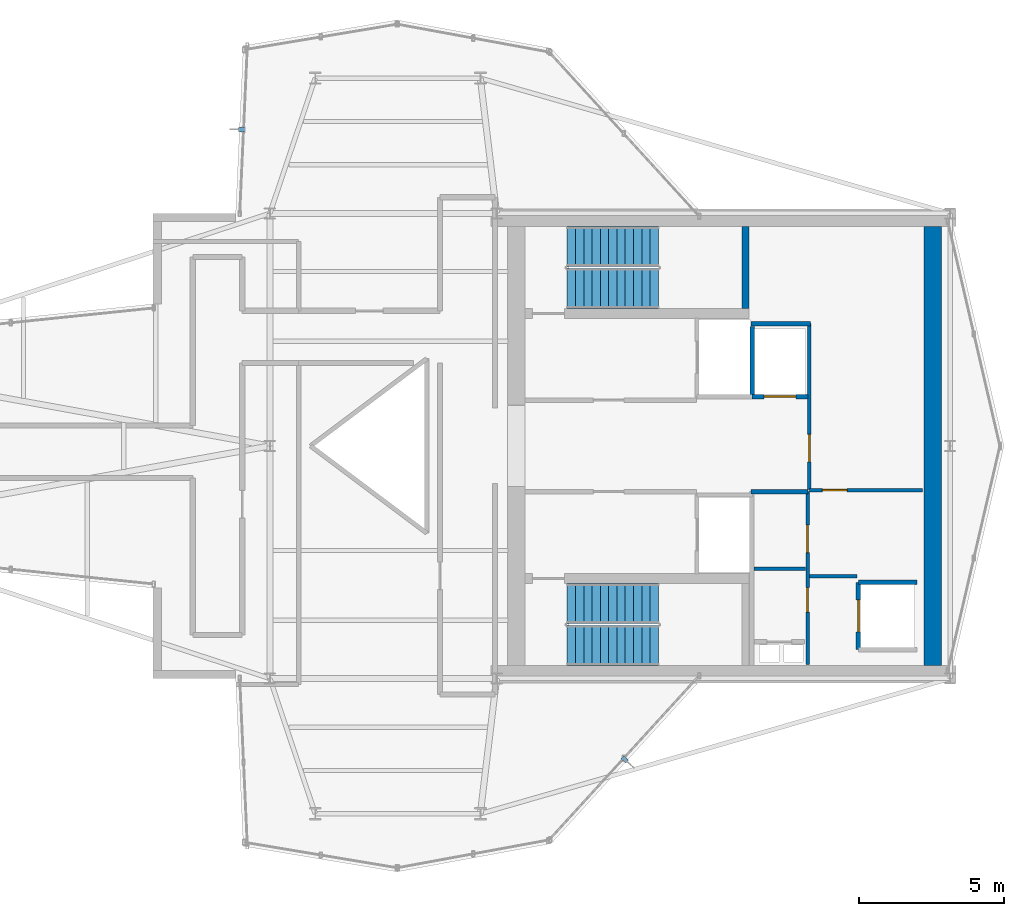
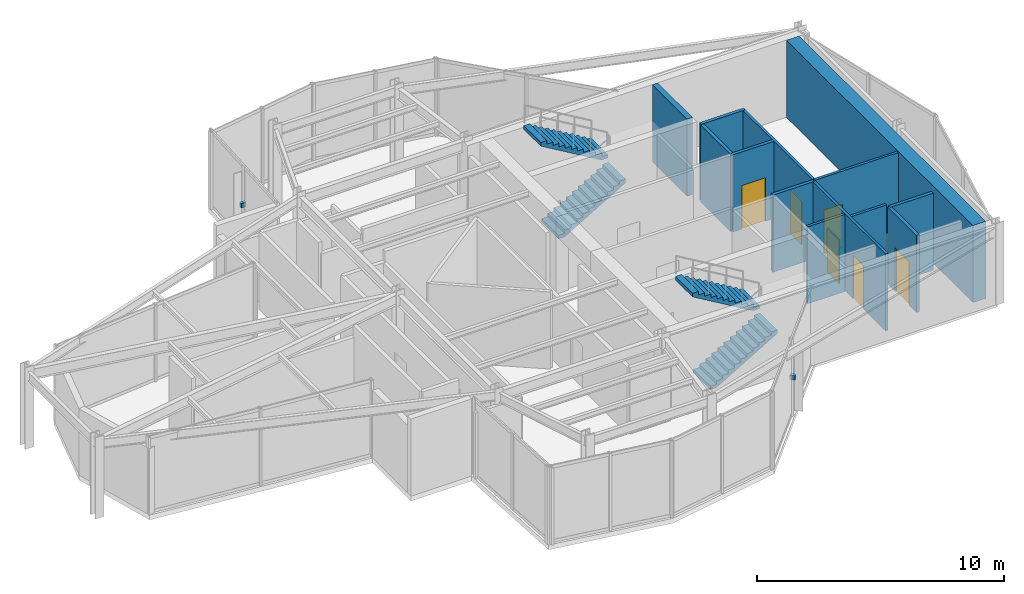
# One storey, part 12 of 13: 13 walls, 6 doors, 4 stair flights, 2 discrete accessories, 6 openings, 2 elements without a shape of their own.
"""IFC4 building model written with IfcOpenShell, lengths in metres."""

from ifc_helpers import new_model, si_unit, direction, frame, frame_2d, origin, origin_2d, place, context, subcontext, project, spatial, polyline, rectangle, outline, extrude, material, layer, layer_set, type_object, element, fill, aggregate, save


model = new_model("IFC4")

# Units and contexts
model_context = context("Model", 3, precision=1e-05, world=origin(), true_north=direction((0.0, 1.0)))
body_context = subcontext(model_context, "Body", "Model", "MODEL_VIEW")
ifc_project = project(units=[si_unit("LENGTHUNIT", "METRE"), si_unit("AREAUNIT", "SQUARE_METRE"), si_unit("VOLUMEUNIT", "CUBIC_METRE"), si_unit("PLANEANGLEUNIT", "RADIAN"), si_unit("MASSUNIT", "GRAM", prefix="KILO")], contexts=[model_context])

# Site, building, storey
site_placement = place(None, origin())
site = spatial("IfcSite", under=ifc_project, at=site_placement, CompositionType="ELEMENT")
building_placement = place(site_placement, origin())
building = spatial("IfcBuilding", under=site, at=building_placement, Name="Veymaron Broadcast Tower", CompositionType="ELEMENT")
storey_placement = place(building_placement, frame((0.0, 0.0, 279.0)))
storey = spatial("IfcBuildingStorey", under=building, at=storey_placement, Name="L65", CompositionType="ELEMENT", Elevation=279.0)

# Wall, opening, door
ifc_material_1 = material(Name="Gypsum fireboard and steel stud framing", Category="steel")
ifc_layer_1 = layer(ifc_material_1, 0.14990234375)
ifc_layer_set_1 = layer_set([ifc_layer_1], Name="Gypsum fireboard and steel stud framing")
wall_type_1 = type_object("IfcWallType", Name="WALL-FIRE-150", PredefinedType="PARTITIONING", material=ifc_layer_set_1)
wall_1_placement = place(storey_placement, frame((47.7900390625, 25.695068359375, 0.0), z_axis=(0.0, 0.0, 1.0), x_axis=(1.0, 0.0, 0.0)))
wall_1 = element("IfcWall", 1, at=wall_1_placement, inside=storey, type_object=wall_type_1, Name="L65 partition IW-L65-SHS-SL-1", PredefinedType="PARTITIONING", context=body_context, shape_type="SweptSolid", body=[
    extrude(rectangle(XDim=1.919921875, YDim=0.14990234375, at=frame_2d((0.9599609375, 0.0))), origin(), (0.0, 0.0, 1.0), 3.81005859375),
])
opening_1_placement = place(wall_1_placement, frame((0.409912109375, 0.0, 0.0)))
opening_1 = element("IfcOpeningElement", 2, at=opening_1_placement, cuts=wall_1, Name="Opening LD", PredefinedType="OPENING", context=body_context, shape_type="SweptSolid", body=[
    extrude(rectangle(XDim=1.10009765625, YDim=2.14990234375, at=frame_2d((0.550048828125, 1.074951171875))), frame((0.0, 0.0849609375, 0.0), z_axis=(0.0, -1.0, 0.0), x_axis=(1.0, 0.0, 0.0)), (0.0, 0.0, 1.0), 0.169921875),
])
ifc_material_2 = material(Name="Brushed stainless steel AISI 304", Category="steel")
door_type_1 = type_object("IfcDoorType", Name="DOOR-LIFT-1100", OperationType="DOUBLE_DOOR_SLIDING", PredefinedType="DOOR", material=ifc_material_2)
door_1_placement = place(opening_1_placement, frame((1.10009765625, 0.0, 0.0), z_axis=(0.0, 0.0, 1.0), x_axis=(-1.0, 0.0, 0.0)))
door_1 = element("IfcDoor", 3, at=door_1_placement, inside=storey, type_object=door_type_1, Name="L65 door LD-L65-SL-1", OperationType="DOUBLE_DOOR_SLIDING", OverallHeight=2.14990234375, OverallWidth=1.10009765625, PredefinedType="DOOR", context=body_context, shape_type="SweptSolid", body=[
    extrude(rectangle(XDim=1.10009765625, YDim=2.14990234375, at=frame_2d((0.550048828125, 1.074951171875))), frame((0.0, 0.02490234375, 0.0), z_axis=(0.0, -1.0, 0.0), x_axis=(1.0, 0.0, 0.0)), (0.0, 0.0, 1.0), 0.050048828125),
])
fill(opening_1, door_1)

# Wall
wall_2_placement = place(storey_placement, frame((47.7900390625, 25.695068359375, 0.0), z_axis=(0.0, 0.0, 1.0), x_axis=(0.0, 1.0, 0.0)))
element("IfcWall", 4, at=wall_2_placement, inside=storey, type_object=wall_type_1, Name="L65 partition IW-L65-SHW-SL-1", PredefinedType="PARTITIONING", context=body_context, shape_type="SweptSolid", body=[
    extrude(rectangle(XDim=2.4150390625, YDim=0.14990234375, at=frame_2d((1.20751953125, 0.0))), origin(), (0.0, 0.0, 1.0), 3.81005859375),
])

# Wall, opening, door
wall_3_placement = place(storey_placement, frame((51.445068359375, 16.989990234375, 0.0), z_axis=(0.0, 0.0, 1.0), x_axis=(0.0, 1.0, 0.0)))
wall_3 = element("IfcWall", 5, at=wall_3_placement, inside=storey, type_object=wall_type_1, Name="L65 partition IW-L65-SHW-PH1", PredefinedType="PARTITIONING", context=body_context, shape_type="SweptSolid", body=[
    extrude(rectangle(XDim=2.320068359375, YDim=0.14990234375, at=frame_2d((1.16015625, 0.0))), origin(), (0.0, 0.0, 1.0), 3.81005859375),
])
opening_2_placement = place(wall_3_placement, frame((0.610107421875, 0.0, 0.0)))
opening_2 = element("IfcOpeningElement", 6, at=opening_2_placement, cuts=wall_3, Name="Opening LD", PredefinedType="OPENING", context=body_context, shape_type="SweptSolid", body=[
    extrude(rectangle(XDim=1.10009765625, YDim=2.14990234375, at=frame_2d((0.550048828125, 1.074951171875))), frame((0.0, 0.0849609375, 0.0), z_axis=(0.0, -1.0, 0.0), x_axis=(1.0, 0.0, 0.0)), (0.0, 0.0, 1.0), 0.169921875),
])
door_2_placement = place(opening_2_placement, frame((1.10009765625, 0.0, 0.0), z_axis=(0.0, 0.0, 1.0), x_axis=(-1.0, 0.0, 0.0)))
door_2 = element("IfcDoor", 7, at=door_2_placement, inside=storey, type_object=door_type_1, Name="L65 door LD-L65-PH1", OperationType="DOUBLE_DOOR_SLIDING", OverallHeight=2.14990234375, OverallWidth=1.10009765625, PredefinedType="DOOR", context=body_context, shape_type="SweptSolid", body=[
    extrude(rectangle(XDim=1.10009765625, YDim=2.14990234375, at=frame_2d((0.550048828125, 1.074951171875))), frame((0.0, 0.02490234375, 0.0), z_axis=(0.0, -1.0, 0.0), x_axis=(1.0, 0.0, 0.0)), (0.0, 0.0, 1.0), 0.050048828125),
])
fill(opening_2, door_2)

# Walls
wall_4_placement = place(storey_placement, frame((51.445068359375, 19.31005859375, 0.0), z_axis=(0.0, 0.0, 1.0), x_axis=(1.0, 0.0, 0.0)))
element("IfcWall", 8, at=wall_4_placement, inside=storey, type_object=wall_type_1, Name="L65 partition IW-L65-SHN-PH1", PredefinedType="PARTITIONING", context=body_context, shape_type="SweptSolid", body=[
    extrude(rectangle(XDim=2.014892578125, YDim=0.14990234375, at=frame_2d((1.00732421875, 0.0))), origin(), (0.0, 0.0, 1.0), 3.81005859375),
])
wall_5_placement = place(storey_placement, frame((47.760009765625, 22.425048828125, 0.0), z_axis=(0.0, 0.0, 1.0), x_axis=(1.0, 0.0, 0.0)))
element("IfcWall", 9, at=wall_5_placement, inside=storey, type_object=wall_type_1, Name="L65 partition IW-L65-SM-N", PredefinedType="PARTITIONING", context=body_context, shape_type="SweptSolid", body=[
    extrude(rectangle(XDim=1.9599609375, YDim=0.14990234375, at=frame_2d((0.97998046875, 0.0))), origin(), (0.0, 0.0, 1.0), 3.81005859375),
])
wall_6_placement = place(storey_placement, frame((47.760009765625, 28.199951171875, 0.0), z_axis=(0.0, 0.0, 1.0), x_axis=(1.0, 0.0, 0.0)))
element("IfcWall", 10, at=wall_6_placement, inside=storey, type_object=wall_type_1, Name="L65 partition IW-L65-F3-SW", PredefinedType="PARTITIONING", context=body_context, shape_type="SweptSolid", body=[
    extrude(rectangle(XDim=2.0400390625, YDim=0.14990234375, at=frame_2d((1.02001953125, 0.0))), origin(), (0.0, 0.0, 1.0), 3.81005859375),
])
ifc_material_3 = material(Name="Acoustic gypsum board and galvanized stud", Category="gypsum")
ifc_layer_2 = layer(ifc_material_3, 0.1201171875)
ifc_layer_set_2 = layer_set([ifc_layer_2], Name="Acoustic gypsum board and galvanized stud")
wall_type_2 = type_object("IfcWallType", Name="WALL-PART-120", PredefinedType="PARTITIONING", material=ifc_layer_set_2)
wall_7_placement = place(storey_placement, frame((47.860107421875, 19.780029296875, 0.0), z_axis=(0.0, 0.0, 1.0), x_axis=(1.0, 0.0, 0.0)))
element("IfcWall", 11, at=wall_7_placement, inside=storey, type_object=wall_type_2, Name="L65 partition IW-L65-SM-DIV", PredefinedType="PARTITIONING", context=body_context, shape_type="SweptSolid", body=[
    extrude(rectangle(XDim=1.760009765625, YDim=0.1201171875, at=frame_2d((0.8798828125, 0.0))), origin(), (0.0, 0.0, 1.0), 3.81005859375),
])

# Wall, openings, doors
wall_8_placement = place(storey_placement, frame((49.699951171875, 16.47998046875, 0.0), z_axis=(0.0, 0.0, 1.0), x_axis=(0.0, 1.0, 0.0)))
wall_8 = element("IfcWall", 12, at=wall_8_placement, inside=storey, type_object=wall_type_2, Name="L65 partition IW-L65-SM-E", PredefinedType="PARTITIONING", context=body_context, shape_type="SweptSolid", body=[
    extrude(rectangle(XDim=5.945068359375, YDim=0.1201171875, at=frame_2d((2.97265625, 0.0))), origin(), (0.0, 0.0, 1.0), 3.81005859375),
])
opening_3_placement = place(wall_8_placement, frame((1.800048828125, 0.0, 0.0)))
opening_3 = element("IfcOpeningElement", 13, at=opening_3_placement, cuts=wall_8, Name="Opening ID-WC1", PredefinedType="OPENING", context=body_context, shape_type="SweptSolid", body=[
    extrude(rectangle(XDim=0.85009765625, YDim=2.14990234375, at=frame_2d((0.425048828125, 1.074951171875))), frame((0.0, 0.070068359375, 0.0), z_axis=(0.0, -1.0, 0.0), x_axis=(1.0, 0.0, 0.0)), (0.0, 0.0, 1.0), 0.14013671875),
])
opening_4_placement = place(wall_8_placement, frame((3.85009765625, 0.0, 0.0)))
opening_4 = element("IfcOpeningElement", 14, at=opening_4_placement, cuts=wall_8, Name="Opening ID-RM1", PredefinedType="OPENING", context=body_context, shape_type="SweptSolid", body=[
    extrude(rectangle(XDim=0.949951171875, YDim=2.14990234375, at=frame_2d((0.47509765625, 1.074951171875))), frame((0.0, 0.070068359375, 0.0), z_axis=(0.0, -1.0, 0.0), x_axis=(1.0, 0.0, 0.0)), (0.0, 0.0, 1.0), 0.14013671875),
])
ifc_material_4 = material(Name="Moisture-resistant high-pressure laminate timber", Category="wood")
door_type_2 = type_object("IfcDoorType", Name="DOOR-INT-850", OperationType="NOTDEFINED", PredefinedType="DOOR", material=ifc_material_4)
door_3_placement = place(opening_3_placement, frame((0.85009765625, 0.0, 0.0), z_axis=(0.0, 0.0, 1.0), x_axis=(-1.0, 0.0, 0.0)))
door_3 = element("IfcDoor", 15, at=door_3_placement, inside=storey, type_object=door_type_2, Name="L65 door DR-L65-SWC", OperationType="SINGLE_SWING_LEFT", OverallHeight=2.14990234375, OverallWidth=0.85009765625, PredefinedType="DOOR", context=body_context, shape_type="SweptSolid", body=[
    extrude(rectangle(XDim=0.85009765625, YDim=2.14990234375, at=frame_2d((0.425048828125, 1.074951171875))), frame((0.0, 0.02490234375, 0.0), z_axis=(0.0, -1.0, 0.0), x_axis=(1.0, 0.0, 0.0)), (0.0, 0.0, 1.0), 0.050048828125),
])
fill(opening_3, door_3)
ifc_material_5 = material(Name="Acoustic solid-core European oak veneer timber", Category="wood")
door_type_3 = type_object("IfcDoorType", Name="DOOR-INT-950", OperationType="NOTDEFINED", PredefinedType="DOOR", material=ifc_material_5)
door_4_placement = place(opening_4_placement, frame((0.949951171875, 0.0, 0.0), z_axis=(0.0, 0.0, 1.0), x_axis=(-1.0, 0.0, 0.0)))
door_4 = element("IfcDoor", 16, at=door_4_placement, inside=storey, type_object=door_type_3, Name="L65 door DR-L65-AWC", OperationType="SINGLE_SWING_RIGHT", OverallHeight=2.14990234375, OverallWidth=0.949951171875, PredefinedType="DOOR", context=body_context, shape_type="SweptSolid", body=[
    extrude(rectangle(XDim=0.949951171875, YDim=2.14990234375, at=frame_2d((0.47509765625, 1.074951171875))), frame((0.0, 0.02490234375, 0.0), z_axis=(0.0, -1.0, 0.0), x_axis=(1.0, 0.0, 0.0)), (0.0, 0.0, 1.0), 0.050048828125),
])
fill(opening_4, door_4)

# Wall, opening, door
wall_9_placement = place(storey_placement, frame((49.760009765625, 22.47998046875, 0.0), z_axis=(0.0, 0.0, 1.0), x_axis=(1.0, 0.0, 0.0)))
wall_9 = element("IfcWall", 17, at=wall_9_placement, inside=storey, type_object=wall_type_2, Name="L65 partition IW-L65-F3S-N", PredefinedType="PARTITIONING", context=body_context, shape_type="SweptSolid", body=[
    extrude(rectangle(XDim=3.89990234375, YDim=0.1201171875, at=frame_2d((1.949951171875, 0.0))), origin(), (0.0, 0.0, 1.0), 3.81005859375),
])
opening_5_placement = place(wall_9_placement, frame((0.449951171875, 0.0, 0.0)))
opening_5 = element("IfcOpeningElement", 18, at=opening_5_placement, cuts=wall_9, Name="Opening ID-WC1", PredefinedType="OPENING", context=body_context, shape_type="SweptSolid", body=[
    extrude(rectangle(XDim=0.85009765625, YDim=2.14990234375, at=frame_2d((0.425048828125, 1.074951171875))), frame((0.0, 0.070068359375, 0.0), z_axis=(0.0, -1.0, 0.0), x_axis=(1.0, 0.0, 0.0)), (0.0, 0.0, 1.0), 0.14013671875),
])
door_5_placement = place(opening_5_placement, frame((0.85009765625, 0.0, 0.0), z_axis=(0.0, 0.0, 1.0), x_axis=(-1.0, 0.0, 0.0)))
door_5 = element("IfcDoor", 19, at=door_5_placement, inside=storey, type_object=door_type_2, Name="L65 door DR-L65-F3S", OperationType="SINGLE_SWING_LEFT", OverallHeight=2.14990234375, OverallWidth=0.85009765625, PredefinedType="DOOR", context=body_context, shape_type="SweptSolid", body=[
    extrude(rectangle(XDim=0.85009765625, YDim=2.14990234375, at=frame_2d((0.425048828125, 1.074951171875))), frame((0.0, 0.02490234375, 0.0), z_axis=(0.0, -1.0, 0.0), x_axis=(1.0, 0.0, 0.0)), (0.0, 0.0, 1.0), 0.050048828125),
])
fill(opening_5, door_5)

# Wall
wall_10_placement = place(storey_placement, frame((49.760009765625, 19.52001953125, 0.0), z_axis=(0.0, 0.0, 1.0), x_axis=(1.0, 0.0, 0.0)))
element("IfcWall", 20, at=wall_10_placement, inside=storey, type_object=wall_type_2, Name="L65 partition IW-L65-F3S-S", PredefinedType="PARTITIONING", context=body_context, shape_type="SweptSolid", body=[
    extrude(rectangle(XDim=1.639892578125, YDim=0.1201171875, at=frame_2d((0.81982421875, 0.0))), origin(), (0.0, 0.0, 1.0), 3.81005859375),
])

# Wall, opening, door
wall_11_placement = place(storey_placement, frame((49.760009765625, 22.5, 0.0), z_axis=(0.0, 0.0, 1.0), x_axis=(0.0, 1.0, 0.0)))
wall_11 = element("IfcWall", 21, at=wall_11_placement, inside=storey, type_object=wall_type_2, Name="L65 partition IW-L65-F3-W", PredefinedType="PARTITIONING", context=body_context, shape_type="SweptSolid", body=[
    extrude(rectangle(XDim=5.719970703125, YDim=0.1201171875, at=frame_2d((2.85986328125, 0.0))), origin(), (0.0, 0.0, 1.0), 3.81005859375),
])
opening_6_placement = place(wall_11_placement, frame((0.949951171875, 0.0, 0.0)))
opening_6 = element("IfcOpeningElement", 22, at=opening_6_placement, cuts=wall_11, Name="Opening ID-RM1", PredefinedType="OPENING", context=body_context, shape_type="SweptSolid", body=[
    extrude(rectangle(XDim=0.949951171875, YDim=2.14990234375, at=frame_2d((0.47509765625, 1.074951171875))), frame((0.0, 0.070068359375, 0.0), z_axis=(0.0, -1.0, 0.0), x_axis=(1.0, 0.0, 0.0)), (0.0, 0.0, 1.0), 0.14013671875),
])
door_6_placement = place(opening_6_placement, origin())
door_6 = element("IfcDoor", 23, at=door_6_placement, inside=storey, type_object=door_type_3, Name="L65 door DR-L65-F3A", OperationType="SINGLE_SWING_LEFT", OverallHeight=2.14990234375, OverallWidth=0.949951171875, PredefinedType="DOOR", context=body_context, shape_type="SweptSolid", body=[
    extrude(rectangle(XDim=0.949951171875, YDim=2.14990234375, at=frame_2d((0.47509765625, 1.074951171875))), frame((0.0, 0.02490234375, 0.0), z_axis=(0.0, -1.0, 0.0), x_axis=(1.0, 0.0, 0.0)), (0.0, 0.0, 1.0), 0.050048828125),
])
fill(opening_6, door_6)

# Walls
ifc_material_6 = material(Name="Concrete C50/60", Category="concrete")
ifc_layer_3 = layer(ifc_material_6, 0.25)
ifc_layer_set_3 = layer_set([ifc_layer_3], Name="Concrete C50/60")
wall_type_3 = type_object("IfcWallType", Name="WALL-SHEAR-250", PredefinedType="SHEAR", material=ifc_layer_set_3)
wall_12_placement = place(storey_placement, frame((47.56494140625, 28.72998046875, 0.0), z_axis=(0.0, 0.0, 1.0), x_axis=(0.0, 1.0, 0.0)))
element("IfcWall", 24, at=wall_12_placement, inside=storey, type_object=wall_type_3, Name="L65 Core Wall north stair east shear", PredefinedType="SHEAR", context=body_context, shape_type="SweptSolid", body=[
    extrude(rectangle(XDim=2.820068359375, YDim=0.25, at=frame_2d((1.41015625, 0.0))), origin(), (0.0, 0.0, 1.0), 3.81005859375),
])
ifc_layer_4 = layer(ifc_material_6, 0.60009765625)
ifc_layer_set_4 = layer_set([ifc_layer_4], Name="Concrete C50/60")
wall_type_4 = type_object("IfcWallType", Name="WALL-SHEAR-600", PredefinedType="SHEAR", material=ifc_layer_set_4)
wall_13_placement = place(storey_placement, frame((54.0, 16.449951171875, 0.0), z_axis=(0.0, 0.0, 1.0), x_axis=(0.0, 1.0, 0.0)))
element("IfcWall", 25, at=wall_13_placement, inside=storey, type_object=wall_type_4, Name="L65 Core Wall east shear", PredefinedType="SHEAR", context=body_context, shape_type="SweptSolid", body=[
    extrude(rectangle(XDim=15.10009765625, YDim=0.60009765625, at=frame_2d((7.550048828125, 0.0))), origin(), (0.0, 0.0, 1.0), 3.81005859375),
])

# Stair, stair flights
stair_type_1 = type_object("IfcStairType", Name="STAIR-CORE-1", PredefinedType="HALF_TURN_STAIR", material=ifc_material_6)
stair_1_placement = place(storey_placement, origin())
stair_1 = element("IfcStair", 26, at=stair_1_placement, inside=storey, type_object=stair_type_1, Name="L65 North protected dog-leg exit stair ST1", PredefinedType="HALF_TURN_STAIR")
ifc_material_7 = material(Name="Precast concrete C50/60", Category="concrete")
stair_flight_type = type_object("IfcStairFlightType", Name="FLT-CORE-RC", PredefinedType="STRAIGHT", material=ifc_material_7)
stair_flight_1_placement = place(storey_placement, frame((41.429931640625, 29.419921875, 0.0), z_axis=(0.0, 0.0, 1.0), x_axis=(1.0, 0.0, 0.0)))
stair_flight_1 = element("IfcStairFlight", 27, at=stair_flight_1_placement, type_object=stair_flight_type, Name="ST1 flight 1", NumberOfRisers=12, NumberOfTreads=11, PredefinedType="STRAIGHT", RiserHeight=0.16875, TreadLength=0.285, context=body_context, shape_type="SweptSolid", body=[
    extrude(outline(polyline([(0.0, 0.0), (0.0, 0.168701171875), (0.284912109375, 0.168701171875), (0.284912109375, 0.33740234375), (0.570068359375, 0.33740234375), (0.570068359375, 0.50634765625), (0.85498046875, 0.50634765625), (0.85498046875, 0.675048828125), (1.139892578125, 0.675048828125), (1.139892578125, 0.84375), (1.425048828125, 0.84375), (1.425048828125, 1.012451171875), (1.7099609375, 1.012451171875), (1.7099609375, 1.18115234375), (1.9951171875, 1.18115234375), (1.9951171875, 1.35009765625), (2.280029296875, 1.35009765625), (2.280029296875, 1.518798828125), (2.56494140625, 1.518798828125), (2.56494140625, 1.6875), (2.85009765625, 1.6875), (2.85009765625, 1.856201171875), (3.135009765625, 1.856201171875), (3.135009765625, 2.02490234375), (3.135009765625, 1.68212890625), (0.294189453125, 0.0), (0.0, 0.0)])), frame((0.0, 0.68994140625, 0.0), z_axis=(0.0, -1.0, 0.0), x_axis=(1.0, 0.0, 0.0)), (0.0, 0.0, 1.0), 1.3798828125),
])
stair_flight_2_placement = place(storey_placement, frame((44.56494140625, 30.860107421875, 2.02490234375), z_axis=(0.0, 0.0, 1.0), x_axis=(-1.0, 0.0, 0.0)))
stair_flight_2 = element("IfcStairFlight", 28, at=stair_flight_2_placement, type_object=stair_flight_type, Name="ST1 flight 2", NumberOfRisers=12, NumberOfTreads=11, PredefinedType="STRAIGHT", RiserHeight=0.16875, TreadLength=0.285, context=body_context, shape_type="SweptSolid", body=[
    extrude(outline(polyline([(0.0, 0.0), (0.0, 0.168701171875), (0.284912109375, 0.168701171875), (0.284912109375, 0.33740234375), (0.570068359375, 0.33740234375), (0.570068359375, 0.50634765625), (0.85498046875, 0.50634765625), (0.85498046875, 0.675048828125), (1.139892578125, 0.675048828125), (1.139892578125, 0.84375), (1.425048828125, 0.84375), (1.425048828125, 1.012451171875), (1.7099609375, 1.012451171875), (1.7099609375, 1.18115234375), (1.9951171875, 1.18115234375), (1.9951171875, 1.35009765625), (2.280029296875, 1.35009765625), (2.280029296875, 1.518798828125), (2.56494140625, 1.518798828125), (2.56494140625, 1.6875), (2.85009765625, 1.6875), (2.85009765625, 1.856201171875), (3.135009765625, 1.856201171875), (3.135009765625, 2.02490234375), (3.135009765625, 1.68212890625), (0.294189453125, 0.0), (0.0, 0.0)])), frame((0.0, 0.68994140625, 0.0), z_axis=(0.0, -1.0, 0.0), x_axis=(1.0, 0.0, 0.0)), (0.0, 0.0, 1.0), 1.3798828125),
])
aggregate(stair_1, [stair_flight_1, stair_flight_2])

stair_type_2 = type_object("IfcStairType", Name="STAIR-CORE-2", PredefinedType="HALF_TURN_STAIR", material=ifc_material_6)
stair_2_placement = place(storey_placement, origin())
stair_2 = element("IfcStair", 29, at=stair_2_placement, inside=storey, type_object=stair_type_2, Name="L65 South protected dog-leg exit stair ST2", PredefinedType="HALF_TURN_STAIR")
stair_flight_3_placement = place(storey_placement, frame((41.429931640625, 17.139892578125, 0.0), z_axis=(0.0, 0.0, 1.0), x_axis=(1.0, 0.0, 0.0)))
stair_flight_3 = element("IfcStairFlight", 30, at=stair_flight_3_placement, type_object=stair_flight_type, Name="ST2 flight 1", NumberOfRisers=12, NumberOfTreads=11, PredefinedType="STRAIGHT", RiserHeight=0.16875, TreadLength=0.285, context=body_context, shape_type="SweptSolid", body=[
    extrude(outline(polyline([(0.0, 0.0), (0.0, 0.168701171875), (0.284912109375, 0.168701171875), (0.284912109375, 0.33740234375), (0.570068359375, 0.33740234375), (0.570068359375, 0.50634765625), (0.85498046875, 0.50634765625), (0.85498046875, 0.675048828125), (1.139892578125, 0.675048828125), (1.139892578125, 0.84375), (1.425048828125, 0.84375), (1.425048828125, 1.012451171875), (1.7099609375, 1.012451171875), (1.7099609375, 1.18115234375), (1.9951171875, 1.18115234375), (1.9951171875, 1.35009765625), (2.280029296875, 1.35009765625), (2.280029296875, 1.518798828125), (2.56494140625, 1.518798828125), (2.56494140625, 1.6875), (2.85009765625, 1.6875), (2.85009765625, 1.856201171875), (3.135009765625, 1.856201171875), (3.135009765625, 2.02490234375), (3.135009765625, 1.68212890625), (0.294189453125, 0.0), (0.0, 0.0)])), frame((0.0, 0.68994140625, 0.0), z_axis=(0.0, -1.0, 0.0), x_axis=(1.0, 0.0, 0.0)), (0.0, 0.0, 1.0), 1.3798828125),
])
stair_flight_4_placement = place(storey_placement, frame((44.56494140625, 18.580078125, 2.02490234375), z_axis=(0.0, 0.0, 1.0), x_axis=(-1.0, 0.0, 0.0)))
stair_flight_4 = element("IfcStairFlight", 31, at=stair_flight_4_placement, type_object=stair_flight_type, Name="ST2 flight 2", NumberOfRisers=12, NumberOfTreads=11, PredefinedType="STRAIGHT", RiserHeight=0.16875, TreadLength=0.285, context=body_context, shape_type="SweptSolid", body=[
    extrude(outline(polyline([(0.0, 0.0), (0.0, 0.168701171875), (0.284912109375, 0.168701171875), (0.284912109375, 0.33740234375), (0.570068359375, 0.33740234375), (0.570068359375, 0.50634765625), (0.85498046875, 0.50634765625), (0.85498046875, 0.675048828125), (1.139892578125, 0.675048828125), (1.139892578125, 0.84375), (1.425048828125, 0.84375), (1.425048828125, 1.012451171875), (1.7099609375, 1.012451171875), (1.7099609375, 1.18115234375), (1.9951171875, 1.18115234375), (1.9951171875, 1.35009765625), (2.280029296875, 1.35009765625), (2.280029296875, 1.518798828125), (2.56494140625, 1.518798828125), (2.56494140625, 1.6875), (2.85009765625, 1.6875), (2.85009765625, 1.856201171875), (3.135009765625, 1.856201171875), (3.135009765625, 2.02490234375), (3.135009765625, 1.68212890625), (0.294189453125, 0.0), (0.0, 0.0)])), frame((0.0, 0.68994140625, 0.0), z_axis=(0.0, -1.0, 0.0), x_axis=(1.0, 0.0, 0.0)), (0.0, 0.0, 1.0), 1.3798828125),
])
aggregate(stair_2, [stair_flight_3, stair_flight_4])

# Discrete accessories
ifc_material_8 = material(Name="Austenitic stainless steel AISI 316L", Category="steel")
ifc_layer_5 = layer(ifc_material_8, 0.1201171875)
ifc_layer_set_5 = layer_set([ifc_layer_5], Name="Austenitic stainless steel AISI 316L")
discrete_accessory_type = type_object("IfcDiscreteAccessoryType", Name="ACC-BRKT-SS1", PredefinedType="BRACKET", material=ifc_layer_set_5)
for number, where, z_axis, x_axis, name in (
    (32, (30.2333984375, 34.880859375, 1.794921875), (0.0, 0.0, 1.0), (-0.998964226185, 0.045502470291, 0.0), "CW-L65-E8-1 fin bracket 1"),
    (33, (43.414306640625, 13.21337890625, 1.794921875), (0.0, 0.0, 1.0), (0.738196372665, -0.674585884365, 0.0), "CW-L65-E20-1 fin bracket 1"),
):
    element("IfcDiscreteAccessory", number, at=place(storey_placement, frame(where, z_axis=z_axis, x_axis=x_axis)), inside=storey, type_object=discrete_accessory_type, Name=name, PredefinedType="BRACKET", context=body_context, shape_type="SweptSolid", body=[
        extrude(rectangle(XDim=0.219970703125, YDim=0.139892578125, at=origin_2d()), origin(), (0.0, 0.0, 1.0), 0.219970703125),
    ])

save(model, "model.ifc")
